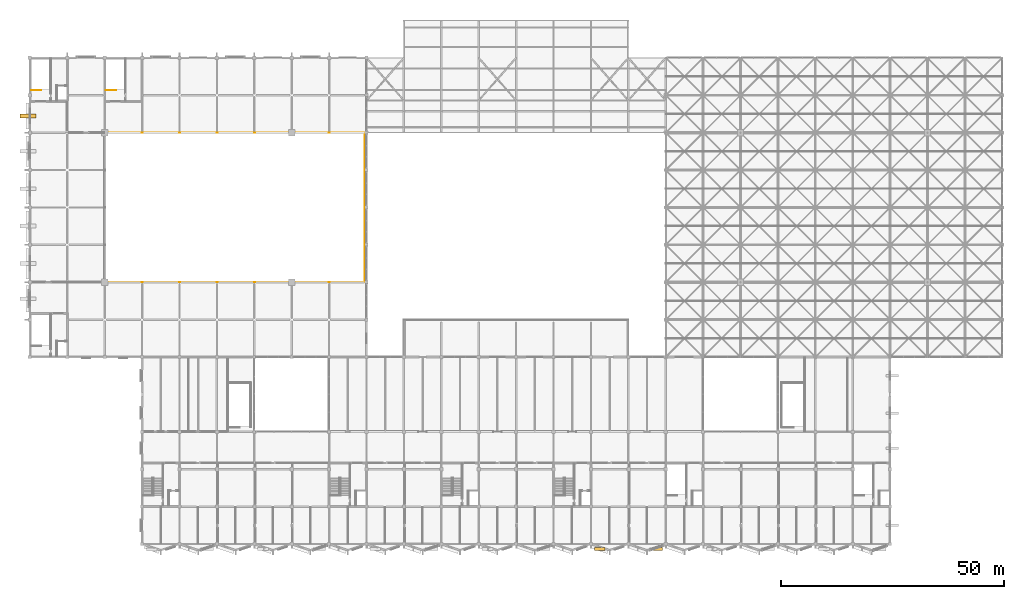
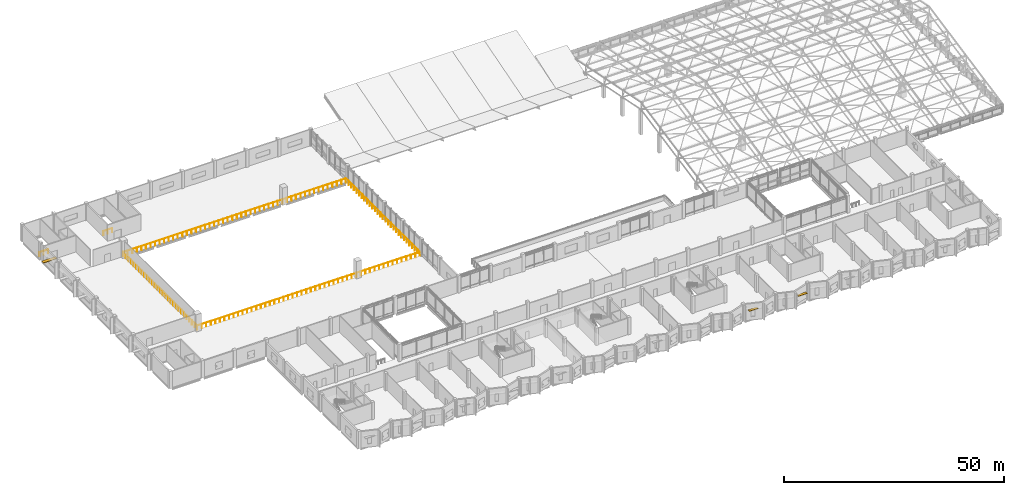
# One storey, part 109 of 110: 3 railings, 3 shading devices.
"""IFC4 building model written with IfcOpenShell, lengths in metres."""

from ifc_helpers import new_model, si_unit, direction, frame, origin, origin_2d, place, context, subcontext, project, spatial, rectangle, circle, extrude, material, type_object, element, save


model = new_model("IFC4")

# Units and contexts
model_context = context("Model", 3, precision=1e-05, world=origin(), true_north=direction((0.0, 1.0)))
body_context = subcontext(model_context, "Body", "Model", "MODEL_VIEW")
ifc_project = project(units=[si_unit("LENGTHUNIT", "METRE"), si_unit("AREAUNIT", "SQUARE_METRE"), si_unit("VOLUMEUNIT", "CUBIC_METRE"), si_unit("PLANEANGLEUNIT", "RADIAN"), si_unit("MASSUNIT", "GRAM", prefix="KILO")], contexts=[model_context])

# Site, building, storey
site_placement = place(None, origin())
site = spatial("IfcSite", under=ifc_project, at=site_placement, CompositionType="ELEMENT")
building_placement = place(site_placement, origin())
building = spatial("IfcBuilding", under=site, at=building_placement, Name="Qawsi Khor Wholesale Market", CompositionType="ELEMENT")
storey_placement = place(building_placement, frame((0.0, 0.0, 11.39990234375)))
storey = spatial("IfcBuildingStorey", under=building, at=storey_placement, Name="L02", CompositionType="ELEMENT", Elevation=11.39990234375)

# Shading devices
ifc_material_1 = material(Name="Anodised Aluminium Louvre", Category="aluminium")
shading_device_type_1 = type_object("IfcShadingDeviceType", Name="Deep-Set Horizontal Sun-Shading Louvre", PredefinedType="JALOUSIE", material=ifc_material_1)
for number, where, z_axis, x_axis, name in (
    (1, (127.959716796875, -1.122314453125, 3.0400390625), (0.0, 0.0, 1.0), (1.0, 0.0, 0.0), "Sun-shading louvre 023"),
    (2, (140.838134765625, -1.112548828125, 2.68994140625), (0.0, 0.0, 1.0), (1.0, 0.0, 0.0), "Sun-shading louvre 024"),
):
    element("IfcShadingDevice", number, at=place(storey_placement, frame(where, z_axis=z_axis, x_axis=x_axis)), inside=storey, type_object=shading_device_type_1, Name=name, PredefinedType="JALOUSIE", context=body_context, shape_type="SweptSolid", body=[
        extrude(rectangle(XDim=2.39990234375, YDim=0.64990234375, at=origin_2d()), origin(), (0.0, 0.0, 1.0), 0.1201171875),
    ])

# Railings
ifc_material_2 = material(Name="Brushed Stainless Steel 316", Category="steel")
railing_type_1 = type_object("IfcRailingType", Name="Stair & Void Guard Balustrade 1120", PredefinedType="BALUSTRADE", material=ifc_material_2)
railing_1_placement = place(storey_placement, frame((0.300048828125, 101.89990234375, 0.0)))
element("IfcRailing", 3, at=railing_1_placement, inside=storey, type_object=railing_type_1, Name="Stairwell arrival guard ST-08 L02", PredefinedType="BALUSTRADE", context=body_context, shape_type="SweptSolid", body=[
    extrude(circle(Radius=0.02392578125, at=origin_2d()), frame((0.0, 0.0, 1.09619140625), z_axis=(1.0, 0.0, 0.0), x_axis=(0.0, 1.0, 0.0)), (0.0, 0.0, 1.0), 2.280029296875),
    extrude(circle(Radius=0.02099609375, at=origin_2d()), origin(), (0.0, 0.0, 1.0), 1.072021484375),
    extrude(circle(Radius=0.02099609375, at=origin_2d()), frame((1.14013671875, 0.0, 0.0)), (0.0, 0.0, 1.0), 1.072021484375),
    extrude(circle(Radius=0.02099609375, at=origin_2d()), frame((2.280029296875, 0.0, 0.0)), (0.0, 0.0, 1.0), 1.072021484375),
])
railing_2_placement = place(storey_placement, frame((17.10009765625, 101.89990234375, 0.0)))
element("IfcRailing", 4, at=railing_2_placement, inside=storey, type_object=railing_type_1, Name="Stairwell arrival guard ST-09 L02", PredefinedType="BALUSTRADE", context=body_context, shape_type="SweptSolid", body=[
    extrude(circle(Radius=0.02392578125, at=origin_2d()), frame((0.0, 0.0, 1.09619140625), z_axis=(1.0, 0.0, 0.0), x_axis=(0.0, 1.0, 0.0)), (0.0, 0.0, 1.0), 2.27978515625),
    extrude(circle(Radius=0.02099609375, at=origin_2d()), origin(), (0.0, 0.0, 1.0), 1.072021484375),
    extrude(circle(Radius=0.02099609375, at=origin_2d()), frame((1.139892578125, 0.0, 0.0)), (0.0, 0.0, 1.0), 1.072021484375),
    extrude(circle(Radius=0.02099609375, at=origin_2d()), frame((2.27978515625, 0.0, 0.0)), (0.0, 0.0, 1.0), 1.072021484375),
])
ifc_material_3 = material(Name="Brushed Stainless Steel 316 & Laminated Glass", Category="steel")
railing_type_2 = type_object("IfcRailingType", Name="Terrace Perimeter Guard Balustrade 1180", PredefinedType="BALUSTRADE", material=ifc_material_3)
railing_3_placement = place(storey_placement, frame((16.800048828125, 92.39990234375, 0.0)))
element("IfcRailing", 5, at=railing_3_placement, inside=storey, type_object=railing_type_2, Name="Guard balustrade GRD-VOID-WH-L02", PredefinedType="BALUSTRADE", context=body_context, shape_type="SweptSolid", body=[
    extrude(circle(Radius=0.02392578125, at=origin_2d()), frame((0.0, 0.0, 1.15576171875), z_axis=(1.0, 0.0, 0.0), x_axis=(0.0, 1.0, 0.0)), (0.0, 0.0, 1.0), 58.39990234375),
    extrude(circle(Radius=0.02392578125, at=origin_2d()), frame((58.39990234375, 0.0, 1.15576171875), z_axis=(0.0, -1.0, 0.0), x_axis=(1.0, 0.0, 0.0)), (0.0, 0.0, 1.0), 33.599853515625),
    extrude(circle(Radius=0.02392578125, at=origin_2d()), frame((58.39990234375, -33.599853515625, 1.15576171875), z_axis=(-1.0, 0.0, 0.0), x_axis=(0.0, -1.0, 0.0)), (0.0, 0.0, 1.0), 58.39990234375),
    extrude(circle(Radius=0.02392578125, at=origin_2d()), frame((0.0, -33.599853515625, 1.15576171875), z_axis=(0.0, 1.0, 0.0), x_axis=(-1.0, 0.0, 0.0)), (0.0, 0.0, 1.0), 33.599853515625),
    extrude(circle(Radius=0.02099609375, at=origin_2d()), origin(), (0.0, 0.0, 1.0), 1.1318359375),
    extrude(circle(Radius=0.02099609375, at=origin_2d()), frame((1.19189453125, 0.0, 0.0)), (0.0, 0.0, 1.0), 1.1318359375),
    extrude(circle(Radius=0.02099609375, at=origin_2d()), frame((2.3837890625, 0.0, 0.0)), (0.0, 0.0, 1.0), 1.1318359375),
    extrude(circle(Radius=0.02099609375, at=origin_2d()), frame((3.575439453125, 0.0, 0.0)), (0.0, 0.0, 1.0), 1.1318359375),
    extrude(circle(Radius=0.02099609375, at=origin_2d()), frame((4.767333984375, 0.0, 0.0)), (0.0, 0.0, 1.0), 1.1318359375),
    extrude(circle(Radius=0.02099609375, at=origin_2d()), frame((5.959228515625, 0.0, 0.0)), (0.0, 0.0, 1.0), 1.1318359375),
    extrude(circle(Radius=0.02099609375, at=origin_2d()), frame((7.151123046875, 0.0, 0.0)), (0.0, 0.0, 1.0), 1.1318359375),
    extrude(circle(Radius=0.02099609375, at=origin_2d()), frame((8.3427734375, 0.0, 0.0)), (0.0, 0.0, 1.0), 1.1318359375),
    extrude(circle(Radius=0.02099609375, at=origin_2d()), frame((9.53466796875, 0.0, 0.0)), (0.0, 0.0, 1.0), 1.1318359375),
    extrude(circle(Radius=0.02099609375, at=origin_2d()), frame((10.7265625, 0.0, 0.0)), (0.0, 0.0, 1.0), 1.1318359375),
    extrude(circle(Radius=0.02099609375, at=origin_2d()), frame((11.91845703125, 0.0, 0.0)), (0.0, 0.0, 1.0), 1.1318359375),
    extrude(circle(Radius=0.02099609375, at=origin_2d()), frame((13.110107421875, 0.0, 0.0)), (0.0, 0.0, 1.0), 1.1318359375),
    extrude(circle(Radius=0.02099609375, at=origin_2d()), frame((14.302001953125, 0.0, 0.0)), (0.0, 0.0, 1.0), 1.1318359375),
    extrude(circle(Radius=0.02099609375, at=origin_2d()), frame((15.493896484375, 0.0, 0.0)), (0.0, 0.0, 1.0), 1.1318359375),
    extrude(circle(Radius=0.02099609375, at=origin_2d()), frame((16.685791015625, 0.0, 0.0)), (0.0, 0.0, 1.0), 1.1318359375),
    extrude(circle(Radius=0.02099609375, at=origin_2d()), frame((17.87744140625, 0.0, 0.0)), (0.0, 0.0, 1.0), 1.1318359375),
    extrude(circle(Radius=0.02099609375, at=origin_2d()), frame((19.0693359375, 0.0, 0.0)), (0.0, 0.0, 1.0), 1.1318359375),
    extrude(circle(Radius=0.02099609375, at=origin_2d()), frame((20.26123046875, 0.0, 0.0)), (0.0, 0.0, 1.0), 1.1318359375),
    extrude(circle(Radius=0.02099609375, at=origin_2d()), frame((21.453125, 0.0, 0.0)), (0.0, 0.0, 1.0), 1.1318359375),
    extrude(circle(Radius=0.02099609375, at=origin_2d()), frame((22.644775390625, 0.0, 0.0)), (0.0, 0.0, 1.0), 1.1318359375),
    extrude(circle(Radius=0.02099609375, at=origin_2d()), frame((23.836669921875, 0.0, 0.0)), (0.0, 0.0, 1.0), 1.1318359375),
    extrude(circle(Radius=0.02099609375, at=origin_2d()), frame((25.028564453125, 0.0, 0.0)), (0.0, 0.0, 1.0), 1.1318359375),
    extrude(circle(Radius=0.02099609375, at=origin_2d()), frame((26.220458984375, 0.0, 0.0)), (0.0, 0.0, 1.0), 1.1318359375),
    extrude(circle(Radius=0.02099609375, at=origin_2d()), frame((27.412109375, 0.0, 0.0)), (0.0, 0.0, 1.0), 1.1318359375),
    extrude(circle(Radius=0.02099609375, at=origin_2d()), frame((28.60400390625, 0.0, 0.0)), (0.0, 0.0, 1.0), 1.1318359375),
    extrude(circle(Radius=0.02099609375, at=origin_2d()), frame((29.7958984375, 0.0, 0.0)), (0.0, 0.0, 1.0), 1.1318359375),
    extrude(circle(Radius=0.02099609375, at=origin_2d()), frame((30.98779296875, 0.0, 0.0)), (0.0, 0.0, 1.0), 1.1318359375),
    extrude(circle(Radius=0.02099609375, at=origin_2d()), frame((32.179443359375, 0.0, 0.0)), (0.0, 0.0, 1.0), 1.1318359375),
    extrude(circle(Radius=0.02099609375, at=origin_2d()), frame((33.371337890625, 0.0, 0.0)), (0.0, 0.0, 1.0), 1.1318359375),
    extrude(circle(Radius=0.02099609375, at=origin_2d()), frame((34.563232421875, 0.0, 0.0)), (0.0, 0.0, 1.0), 1.1318359375),
    extrude(circle(Radius=0.02099609375, at=origin_2d()), frame((35.755126953125, 0.0, 0.0)), (0.0, 0.0, 1.0), 1.1318359375),
    extrude(circle(Radius=0.02099609375, at=origin_2d()), frame((36.94677734375, 0.0, 0.0)), (0.0, 0.0, 1.0), 1.1318359375),
    extrude(circle(Radius=0.02099609375, at=origin_2d()), frame((38.138671875, 0.0, 0.0)), (0.0, 0.0, 1.0), 1.1318359375),
    extrude(circle(Radius=0.02099609375, at=origin_2d()), frame((39.33056640625, 0.0, 0.0)), (0.0, 0.0, 1.0), 1.1318359375),
    extrude(circle(Radius=0.02099609375, at=origin_2d()), frame((40.5224609375, 0.0, 0.0)), (0.0, 0.0, 1.0), 1.1318359375),
    extrude(circle(Radius=0.02099609375, at=origin_2d()), frame((41.714111328125, 0.0, 0.0)), (0.0, 0.0, 1.0), 1.1318359375),
    extrude(circle(Radius=0.02099609375, at=origin_2d()), frame((42.906005859375, 0.0, 0.0)), (0.0, 0.0, 1.0), 1.1318359375),
    extrude(circle(Radius=0.02099609375, at=origin_2d()), frame((44.097900390625, 0.0, 0.0)), (0.0, 0.0, 1.0), 1.1318359375),
    extrude(circle(Radius=0.02099609375, at=origin_2d()), frame((45.289794921875, 0.0, 0.0)), (0.0, 0.0, 1.0), 1.1318359375),
    extrude(circle(Radius=0.02099609375, at=origin_2d()), frame((46.4814453125, 0.0, 0.0)), (0.0, 0.0, 1.0), 1.1318359375),
    extrude(circle(Radius=0.02099609375, at=origin_2d()), frame((47.67333984375, 0.0, 0.0)), (0.0, 0.0, 1.0), 1.1318359375),
    extrude(circle(Radius=0.02099609375, at=origin_2d()), frame((48.865234375, 0.0, 0.0)), (0.0, 0.0, 1.0), 1.1318359375),
    extrude(circle(Radius=0.02099609375, at=origin_2d()), frame((50.05712890625, 0.0, 0.0)), (0.0, 0.0, 1.0), 1.1318359375),
    extrude(circle(Radius=0.02099609375, at=origin_2d()), frame((51.248779296875, 0.0, 0.0)), (0.0, 0.0, 1.0), 1.1318359375),
    extrude(circle(Radius=0.02099609375, at=origin_2d()), frame((52.440673828125, 0.0, 0.0)), (0.0, 0.0, 1.0), 1.1318359375),
    extrude(circle(Radius=0.02099609375, at=origin_2d()), frame((53.632568359375, 0.0, 0.0)), (0.0, 0.0, 1.0), 1.1318359375),
    extrude(circle(Radius=0.02099609375, at=origin_2d()), frame((54.824462890625, 0.0, 0.0)), (0.0, 0.0, 1.0), 1.1318359375),
    extrude(circle(Radius=0.02099609375, at=origin_2d()), frame((56.01611328125, 0.0, 0.0)), (0.0, 0.0, 1.0), 1.1318359375),
    extrude(circle(Radius=0.02099609375, at=origin_2d()), frame((57.2080078125, 0.0, 0.0)), (0.0, 0.0, 1.0), 1.1318359375),
    extrude(circle(Radius=0.02099609375, at=origin_2d()), frame((58.39990234375, 0.0, 0.0)), (0.0, 0.0, 1.0), 1.1318359375),
    extrude(circle(Radius=0.02099609375, at=origin_2d()), frame((58.39990234375, -1.199951171875, 0.0)), (0.0, 0.0, 1.0), 1.1318359375),
    extrude(circle(Radius=0.02099609375, at=origin_2d()), frame((58.39990234375, -2.39990234375, 0.0)), (0.0, 0.0, 1.0), 1.1318359375),
    extrude(circle(Radius=0.02099609375, at=origin_2d()), frame((58.39990234375, -3.60009765625, 0.0)), (0.0, 0.0, 1.0), 1.1318359375),
    extrude(circle(Radius=0.02099609375, at=origin_2d()), frame((58.39990234375, -4.800048828125, 0.0)), (0.0, 0.0, 1.0), 1.1318359375),
    extrude(circle(Radius=0.02099609375, at=origin_2d()), frame((58.39990234375, -6.0, 0.0)), (0.0, 0.0, 1.0), 1.1318359375),
    extrude(circle(Radius=0.02099609375, at=origin_2d()), frame((58.39990234375, -7.199951171875, 0.0)), (0.0, 0.0, 1.0), 1.1318359375),
    extrude(circle(Radius=0.02099609375, at=origin_2d()), frame((58.39990234375, -8.39990234375, 0.0)), (0.0, 0.0, 1.0), 1.1318359375),
    extrude(circle(Radius=0.02099609375, at=origin_2d()), frame((58.39990234375, -9.599853515625, 0.0)), (0.0, 0.0, 1.0), 1.1318359375),
    extrude(circle(Radius=0.02099609375, at=origin_2d()), frame((58.39990234375, -10.800048828125, 0.0)), (0.0, 0.0, 1.0), 1.1318359375),
    extrude(circle(Radius=0.02099609375, at=origin_2d()), frame((58.39990234375, -12.0, 0.0)), (0.0, 0.0, 1.0), 1.1318359375),
    extrude(circle(Radius=0.02099609375, at=origin_2d()), frame((58.39990234375, -13.199951171875, 0.0)), (0.0, 0.0, 1.0), 1.1318359375),
    extrude(circle(Radius=0.02099609375, at=origin_2d()), frame((58.39990234375, -14.39990234375, 0.0)), (0.0, 0.0, 1.0), 1.1318359375),
    extrude(circle(Radius=0.02099609375, at=origin_2d()), frame((58.39990234375, -15.599853515625, 0.0)), (0.0, 0.0, 1.0), 1.1318359375),
    extrude(circle(Radius=0.02099609375, at=origin_2d()), frame((58.39990234375, -16.7998046875, 0.0)), (0.0, 0.0, 1.0), 1.1318359375),
    extrude(circle(Radius=0.02099609375, at=origin_2d()), frame((58.39990234375, -18.0, 0.0)), (0.0, 0.0, 1.0), 1.1318359375),
    extrude(circle(Radius=0.02099609375, at=origin_2d()), frame((58.39990234375, -19.199951171875, 0.0)), (0.0, 0.0, 1.0), 1.1318359375),
    extrude(circle(Radius=0.02099609375, at=origin_2d()), frame((58.39990234375, -20.39990234375, 0.0)), (0.0, 0.0, 1.0), 1.1318359375),
    extrude(circle(Radius=0.02099609375, at=origin_2d()), frame((58.39990234375, -21.599853515625, 0.0)), (0.0, 0.0, 1.0), 1.1318359375),
    extrude(circle(Radius=0.02099609375, at=origin_2d()), frame((58.39990234375, -22.7998046875, 0.0)), (0.0, 0.0, 1.0), 1.1318359375),
    extrude(circle(Radius=0.02099609375, at=origin_2d()), frame((58.39990234375, -24.0, 0.0)), (0.0, 0.0, 1.0), 1.1318359375),
    extrude(circle(Radius=0.02099609375, at=origin_2d()), frame((58.39990234375, -25.199951171875, 0.0)), (0.0, 0.0, 1.0), 1.1318359375),
    extrude(circle(Radius=0.02099609375, at=origin_2d()), frame((58.39990234375, -26.39990234375, 0.0)), (0.0, 0.0, 1.0), 1.1318359375),
    extrude(circle(Radius=0.02099609375, at=origin_2d()), frame((58.39990234375, -27.599853515625, 0.0)), (0.0, 0.0, 1.0), 1.1318359375),
    extrude(circle(Radius=0.02099609375, at=origin_2d()), frame((58.39990234375, -28.7998046875, 0.0)), (0.0, 0.0, 1.0), 1.1318359375),
    extrude(circle(Radius=0.02099609375, at=origin_2d()), frame((58.39990234375, -29.999755859375, 0.0)), (0.0, 0.0, 1.0), 1.1318359375),
    extrude(circle(Radius=0.02099609375, at=origin_2d()), frame((58.39990234375, -31.199951171875, 0.0)), (0.0, 0.0, 1.0), 1.1318359375),
    extrude(circle(Radius=0.02099609375, at=origin_2d()), frame((58.39990234375, -32.39990234375, 0.0)), (0.0, 0.0, 1.0), 1.1318359375),
    extrude(circle(Radius=0.02099609375, at=origin_2d()), frame((58.39990234375, -33.599853515625, 0.0)), (0.0, 0.0, 1.0), 1.1318359375),
    extrude(circle(Radius=0.02099609375, at=origin_2d()), frame((57.2080078125, -33.599853515625, 0.0)), (0.0, 0.0, 1.0), 1.1318359375),
    extrude(circle(Radius=0.02099609375, at=origin_2d()), frame((56.01611328125, -33.599853515625, 0.0)), (0.0, 0.0, 1.0), 1.1318359375),
    extrude(circle(Radius=0.02099609375, at=origin_2d()), frame((54.824462890625, -33.599853515625, 0.0)), (0.0, 0.0, 1.0), 1.1318359375),
    extrude(circle(Radius=0.02099609375, at=origin_2d()), frame((53.632568359375, -33.599853515625, 0.0)), (0.0, 0.0, 1.0), 1.1318359375),
    extrude(circle(Radius=0.02099609375, at=origin_2d()), frame((52.440673828125, -33.599853515625, 0.0)), (0.0, 0.0, 1.0), 1.1318359375),
    extrude(circle(Radius=0.02099609375, at=origin_2d()), frame((51.248779296875, -33.599853515625, 0.0)), (0.0, 0.0, 1.0), 1.1318359375),
    extrude(circle(Radius=0.02099609375, at=origin_2d()), frame((50.05712890625, -33.599853515625, 0.0)), (0.0, 0.0, 1.0), 1.1318359375),
    extrude(circle(Radius=0.02099609375, at=origin_2d()), frame((48.865234375, -33.599853515625, 0.0)), (0.0, 0.0, 1.0), 1.1318359375),
    extrude(circle(Radius=0.02099609375, at=origin_2d()), frame((47.67333984375, -33.599853515625, 0.0)), (0.0, 0.0, 1.0), 1.1318359375),
    extrude(circle(Radius=0.02099609375, at=origin_2d()), frame((46.4814453125, -33.599853515625, 0.0)), (0.0, 0.0, 1.0), 1.1318359375),
    extrude(circle(Radius=0.02099609375, at=origin_2d()), frame((45.289794921875, -33.599853515625, 0.0)), (0.0, 0.0, 1.0), 1.1318359375),
    extrude(circle(Radius=0.02099609375, at=origin_2d()), frame((44.097900390625, -33.599853515625, 0.0)), (0.0, 0.0, 1.0), 1.1318359375),
    extrude(circle(Radius=0.02099609375, at=origin_2d()), frame((42.906005859375, -33.599853515625, 0.0)), (0.0, 0.0, 1.0), 1.1318359375),
    extrude(circle(Radius=0.02099609375, at=origin_2d()), frame((41.714111328125, -33.599853515625, 0.0)), (0.0, 0.0, 1.0), 1.1318359375),
    extrude(circle(Radius=0.02099609375, at=origin_2d()), frame((40.5224609375, -33.599853515625, 0.0)), (0.0, 0.0, 1.0), 1.1318359375),
    extrude(circle(Radius=0.02099609375, at=origin_2d()), frame((39.33056640625, -33.599853515625, 0.0)), (0.0, 0.0, 1.0), 1.1318359375),
    extrude(circle(Radius=0.02099609375, at=origin_2d()), frame((38.138671875, -33.599853515625, 0.0)), (0.0, 0.0, 1.0), 1.1318359375),
    extrude(circle(Radius=0.02099609375, at=origin_2d()), frame((36.94677734375, -33.599853515625, 0.0)), (0.0, 0.0, 1.0), 1.1318359375),
    extrude(circle(Radius=0.02099609375, at=origin_2d()), frame((35.755126953125, -33.599853515625, 0.0)), (0.0, 0.0, 1.0), 1.1318359375),
    extrude(circle(Radius=0.02099609375, at=origin_2d()), frame((34.563232421875, -33.599853515625, 0.0)), (0.0, 0.0, 1.0), 1.1318359375),
    extrude(circle(Radius=0.02099609375, at=origin_2d()), frame((33.371337890625, -33.599853515625, 0.0)), (0.0, 0.0, 1.0), 1.1318359375),
    extrude(circle(Radius=0.02099609375, at=origin_2d()), frame((32.179443359375, -33.599853515625, 0.0)), (0.0, 0.0, 1.0), 1.1318359375),
    extrude(circle(Radius=0.02099609375, at=origin_2d()), frame((30.98779296875, -33.599853515625, 0.0)), (0.0, 0.0, 1.0), 1.1318359375),
    extrude(circle(Radius=0.02099609375, at=origin_2d()), frame((29.7958984375, -33.599853515625, 0.0)), (0.0, 0.0, 1.0), 1.1318359375),
    extrude(circle(Radius=0.02099609375, at=origin_2d()), frame((28.60400390625, -33.599853515625, 0.0)), (0.0, 0.0, 1.0), 1.1318359375),
    extrude(circle(Radius=0.02099609375, at=origin_2d()), frame((27.412109375, -33.599853515625, 0.0)), (0.0, 0.0, 1.0), 1.1318359375),
    extrude(circle(Radius=0.02099609375, at=origin_2d()), frame((26.220458984375, -33.599853515625, 0.0)), (0.0, 0.0, 1.0), 1.1318359375),
    extrude(circle(Radius=0.02099609375, at=origin_2d()), frame((25.028564453125, -33.599853515625, 0.0)), (0.0, 0.0, 1.0), 1.1318359375),
    extrude(circle(Radius=0.02099609375, at=origin_2d()), frame((23.836669921875, -33.599853515625, 0.0)), (0.0, 0.0, 1.0), 1.1318359375),
    extrude(circle(Radius=0.02099609375, at=origin_2d()), frame((22.644775390625, -33.599853515625, 0.0)), (0.0, 0.0, 1.0), 1.1318359375),
    extrude(circle(Radius=0.02099609375, at=origin_2d()), frame((21.453125, -33.599853515625, 0.0)), (0.0, 0.0, 1.0), 1.1318359375),
    extrude(circle(Radius=0.02099609375, at=origin_2d()), frame((20.26123046875, -33.599853515625, 0.0)), (0.0, 0.0, 1.0), 1.1318359375),
    extrude(circle(Radius=0.02099609375, at=origin_2d()), frame((19.0693359375, -33.599853515625, 0.0)), (0.0, 0.0, 1.0), 1.1318359375),
    extrude(circle(Radius=0.02099609375, at=origin_2d()), frame((17.87744140625, -33.599853515625, 0.0)), (0.0, 0.0, 1.0), 1.1318359375),
    extrude(circle(Radius=0.02099609375, at=origin_2d()), frame((16.685791015625, -33.599853515625, 0.0)), (0.0, 0.0, 1.0), 1.1318359375),
    extrude(circle(Radius=0.02099609375, at=origin_2d()), frame((15.493896484375, -33.599853515625, 0.0)), (0.0, 0.0, 1.0), 1.1318359375),
    extrude(circle(Radius=0.02099609375, at=origin_2d()), frame((14.302001953125, -33.599853515625, 0.0)), (0.0, 0.0, 1.0), 1.1318359375),
    extrude(circle(Radius=0.02099609375, at=origin_2d()), frame((13.110107421875, -33.599853515625, 0.0)), (0.0, 0.0, 1.0), 1.1318359375),
    extrude(circle(Radius=0.02099609375, at=origin_2d()), frame((11.91845703125, -33.599853515625, 0.0)), (0.0, 0.0, 1.0), 1.1318359375),
    extrude(circle(Radius=0.02099609375, at=origin_2d()), frame((10.7265625, -33.599853515625, 0.0)), (0.0, 0.0, 1.0), 1.1318359375),
    extrude(circle(Radius=0.02099609375, at=origin_2d()), frame((9.53466796875, -33.599853515625, 0.0)), (0.0, 0.0, 1.0), 1.1318359375),
    extrude(circle(Radius=0.02099609375, at=origin_2d()), frame((8.3427734375, -33.599853515625, 0.0)), (0.0, 0.0, 1.0), 1.1318359375),
    extrude(circle(Radius=0.02099609375, at=origin_2d()), frame((7.151123046875, -33.599853515625, 0.0)), (0.0, 0.0, 1.0), 1.1318359375),
    extrude(circle(Radius=0.02099609375, at=origin_2d()), frame((5.959228515625, -33.599853515625, 0.0)), (0.0, 0.0, 1.0), 1.1318359375),
    extrude(circle(Radius=0.02099609375, at=origin_2d()), frame((4.767333984375, -33.599853515625, 0.0)), (0.0, 0.0, 1.0), 1.1318359375),
    extrude(circle(Radius=0.02099609375, at=origin_2d()), frame((3.575439453125, -33.599853515625, 0.0)), (0.0, 0.0, 1.0), 1.1318359375),
    extrude(circle(Radius=0.02099609375, at=origin_2d()), frame((2.3837890625, -33.599853515625, 0.0)), (0.0, 0.0, 1.0), 1.1318359375),
    extrude(circle(Radius=0.02099609375, at=origin_2d()), frame((1.19189453125, -33.599853515625, 0.0)), (0.0, 0.0, 1.0), 1.1318359375),
    extrude(circle(Radius=0.02099609375, at=origin_2d()), frame((0.0, -33.599853515625, 0.0)), (0.0, 0.0, 1.0), 1.1318359375),
    extrude(circle(Radius=0.02099609375, at=origin_2d()), frame((0.0, -32.39990234375, 0.0)), (0.0, 0.0, 1.0), 1.1318359375),
    extrude(circle(Radius=0.02099609375, at=origin_2d()), frame((0.0, -31.199951171875, 0.0)), (0.0, 0.0, 1.0), 1.1318359375),
    extrude(circle(Radius=0.02099609375, at=origin_2d()), frame((0.0, -29.999755859375, 0.0)), (0.0, 0.0, 1.0), 1.1318359375),
    extrude(circle(Radius=0.02099609375, at=origin_2d()), frame((0.0, -28.7998046875, 0.0)), (0.0, 0.0, 1.0), 1.1318359375),
    extrude(circle(Radius=0.02099609375, at=origin_2d()), frame((0.0, -27.599853515625, 0.0)), (0.0, 0.0, 1.0), 1.1318359375),
    extrude(circle(Radius=0.02099609375, at=origin_2d()), frame((0.0, -26.39990234375, 0.0)), (0.0, 0.0, 1.0), 1.1318359375),
    extrude(circle(Radius=0.02099609375, at=origin_2d()), frame((0.0, -25.199951171875, 0.0)), (0.0, 0.0, 1.0), 1.1318359375),
    extrude(circle(Radius=0.02099609375, at=origin_2d()), frame((0.0, -24.0, 0.0)), (0.0, 0.0, 1.0), 1.1318359375),
    extrude(circle(Radius=0.02099609375, at=origin_2d()), frame((0.0, -22.7998046875, 0.0)), (0.0, 0.0, 1.0), 1.1318359375),
    extrude(circle(Radius=0.02099609375, at=origin_2d()), frame((0.0, -21.599853515625, 0.0)), (0.0, 0.0, 1.0), 1.1318359375),
    extrude(circle(Radius=0.02099609375, at=origin_2d()), frame((0.0, -20.39990234375, 0.0)), (0.0, 0.0, 1.0), 1.1318359375),
    extrude(circle(Radius=0.02099609375, at=origin_2d()), frame((0.0, -19.199951171875, 0.0)), (0.0, 0.0, 1.0), 1.1318359375),
    extrude(circle(Radius=0.02099609375, at=origin_2d()), frame((0.0, -18.0, 0.0)), (0.0, 0.0, 1.0), 1.1318359375),
    extrude(circle(Radius=0.02099609375, at=origin_2d()), frame((0.0, -16.7998046875, 0.0)), (0.0, 0.0, 1.0), 1.1318359375),
    extrude(circle(Radius=0.02099609375, at=origin_2d()), frame((0.0, -15.599853515625, 0.0)), (0.0, 0.0, 1.0), 1.1318359375),
    extrude(circle(Radius=0.02099609375, at=origin_2d()), frame((0.0, -14.39990234375, 0.0)), (0.0, 0.0, 1.0), 1.1318359375),
    extrude(circle(Radius=0.02099609375, at=origin_2d()), frame((0.0, -13.199951171875, 0.0)), (0.0, 0.0, 1.0), 1.1318359375),
    extrude(circle(Radius=0.02099609375, at=origin_2d()), frame((0.0, -12.0, 0.0)), (0.0, 0.0, 1.0), 1.1318359375),
    extrude(circle(Radius=0.02099609375, at=origin_2d()), frame((0.0, -10.800048828125, 0.0)), (0.0, 0.0, 1.0), 1.1318359375),
    extrude(circle(Radius=0.02099609375, at=origin_2d()), frame((0.0, -9.599853515625, 0.0)), (0.0, 0.0, 1.0), 1.1318359375),
    extrude(circle(Radius=0.02099609375, at=origin_2d()), frame((0.0, -8.39990234375, 0.0)), (0.0, 0.0, 1.0), 1.1318359375),
    extrude(circle(Radius=0.02099609375, at=origin_2d()), frame((0.0, -7.199951171875, 0.0)), (0.0, 0.0, 1.0), 1.1318359375),
    extrude(circle(Radius=0.02099609375, at=origin_2d()), frame((0.0, -6.0, 0.0)), (0.0, 0.0, 1.0), 1.1318359375),
    extrude(circle(Radius=0.02099609375, at=origin_2d()), frame((0.0, -4.800048828125, 0.0)), (0.0, 0.0, 1.0), 1.1318359375),
    extrude(circle(Radius=0.02099609375, at=origin_2d()), frame((0.0, -3.60009765625, 0.0)), (0.0, 0.0, 1.0), 1.1318359375),
    extrude(circle(Radius=0.02099609375, at=origin_2d()), frame((0.0, -2.39990234375, 0.0)), (0.0, 0.0, 1.0), 1.1318359375),
    extrude(circle(Radius=0.02099609375, at=origin_2d()), frame((0.0, -1.199951171875, 0.0)), (0.0, 0.0, 1.0), 1.1318359375),
])

# Shading device
shading_device_type_2 = type_object("IfcShadingDeviceType", Name="Trading Hall Overhang Sun-Baffle", PredefinedType="JALOUSIE", material=ifc_material_1)
shading_device_placement = place(storey_placement, frame((-0.425048828125, 96.114990234375, 2.669921875), z_axis=(0.0, 0.0, 1.0), x_axis=(1.0, 0.0, 0.0)))
element("IfcShadingDevice", 6, at=shading_device_placement, inside=storey, type_object=shading_device_type_2, Name="Sun-shading louvre 053", PredefinedType="JALOUSIE", context=body_context, shape_type="SweptSolid", body=[
    extrude(rectangle(XDim=3.60009765625, YDim=0.85009765625, at=origin_2d()), origin(), (0.0, 0.0, 1.0), 0.159912109375),
])

save(model, "model.ifc")
